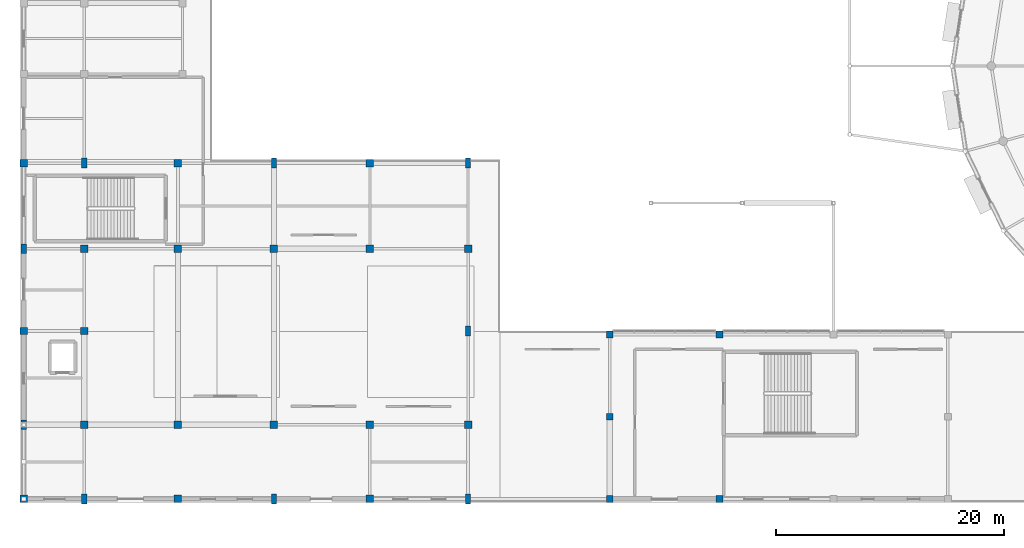
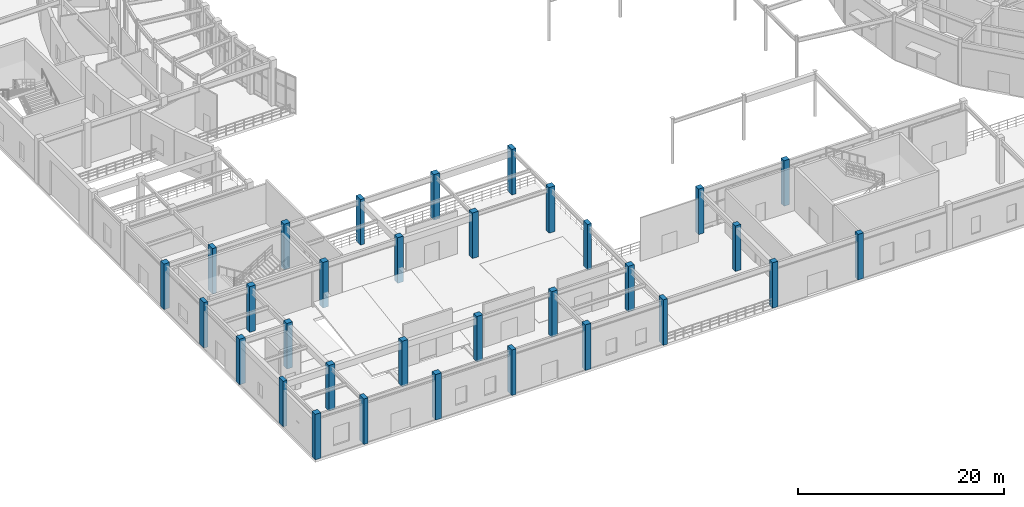
# One storey, part 1 of 93: 32 columns.
"""IFC4 building model written with IfcOpenShell, lengths in metres."""

from ifc_helpers import new_model, si_unit, direction, frame, origin, origin_2d, place, context, subcontext, project, spatial, rectangle, extrude, material, material_profile, profile_set, type_object, element, save


model = new_model("IFC4")

# Units and contexts
model_context = context("Model", 3, precision=1e-05, world=origin(), true_north=direction((0.0, 1.0)))
body_context = subcontext(model_context, "Body", "Model", "MODEL_VIEW")
ifc_project = project(units=[si_unit("LENGTHUNIT", "METRE"), si_unit("AREAUNIT", "SQUARE_METRE"), si_unit("VOLUMEUNIT", "CUBIC_METRE"), si_unit("PLANEANGLEUNIT", "RADIAN"), si_unit("MASSUNIT", "GRAM", prefix="KILO")], contexts=[model_context])

# Site, building, storey
site_placement = place(None, origin())
site = spatial("IfcSite", under=ifc_project, at=site_placement, CompositionType="ELEMENT")
building_placement = place(site_placement, origin())
building = spatial("IfcBuilding", under=site, at=building_placement, Name="Cinderbank Siding Concert Hall", CompositionType="ELEMENT")
storey_placement = place(building_placement, origin())
storey = spatial("IfcBuildingStorey", under=building, at=storey_placement, Name="L01", CompositionType="ELEMENT", Elevation=0.0)

# Columns
ifc_material = material(Name="Reinforced concrete AS 3600 N50 (50 MPa)", Category="concrete")
ifc_material_profile_1 = material_profile(ifc_material, rectangle(XDim=0.60009765625, YDim=0.60009765625, at=origin_2d()), Name="RC-COL-600x600", Category="LoadBearing")
ifc_profile_set_1 = profile_set([ifc_material_profile_1], Name="Reinforced concrete AS 3600 N50 (50 MPa)")
column_type_1 = type_object("IfcColumnType", Name="C-RC600 RC-COL-600x600", PredefinedType="COLUMN", material=ifc_profile_set_1)
for number, where, z_axis, x_axis, name in (
    (1, (58.39990234375, 6.10009765625, 0.0), (0.0, 0.0, 1.0), (1.0, 0.0, 0.0), "L01 Column COL-SL-1-1"),
    (2, (58.39990234375, 13.300048828125, 0.0), (0.0, 0.0, 1.0), (1.0, 0.0, 0.0), "L01 Column COL-SL-1-2"),
    (3, (58.39990234375, 20.5, 0.0), (0.0, 0.0, 1.0), (1.0, 0.0, 0.0), "L01 Column COL-SL-1-3"),
    (4, (68.0, 6.10009765625, 0.0), (0.0, 0.0, 1.0), (1.0, 0.0, 0.0), "L01 Column COL-SL-2-1"),
    (5, (68.0, 20.5, 0.0), (0.0, 0.0, 1.0), (1.0, 0.0, 0.0), "L01 Column COL-SL-2-3"),
):
    element("IfcColumn", number, at=place(storey_placement, frame(where, z_axis=z_axis, x_axis=x_axis)), inside=storey, type_object=column_type_1, Name=name, PredefinedType="COLUMN", context=body_context, shape_type="SweptSolid", body=[
        extrude(rectangle(XDim=0.60009765625, YDim=0.60009765625, at=origin_2d()), origin(), (0.0, 0.0, 1.0), 5.39990234375),
    ])
ifc_material_profile_2 = material_profile(ifc_material, rectangle(XDim=0.64990234375, YDim=0.64990234375, at=origin_2d()), Name="RC-COL-650x650", Category="LoadBearing")
ifc_profile_set_2 = profile_set([ifc_material_profile_2], Name="Reinforced concrete AS 3600 N50 (50 MPa)")
column_type_2 = type_object("IfcColumnType", Name="C-RC650 RC-COL-650x650", PredefinedType="COLUMN", material=ifc_profile_set_2)
for number, where, z_axis, x_axis, name in (
    (6, (7.10009765625, 6.10009765625, 0.0), (0.0, 0.0, 1.0), (1.0, 0.0, 0.0), "L01 Column COL-V2-1-1"),
    (7, (7.10009765625, 20.800048828125, 0.0), (0.0, 0.0, 1.0), (1.0, 0.0, 0.0), "L01 Column COL-V2-1-3"),
    (8, (7.10009765625, 35.5, 0.0), (0.0, 0.0, 1.0), (1.0, 0.0, 0.0), "L01 Column COL-V2-1-5"),
    (9, (12.39990234375, 12.60009765625, 0.0), (0.0, 0.0, 1.0), (1.0, 0.0, 0.0), "L01 Column COL-V2-2-2"),
    (10, (12.39990234375, 20.800048828125, 0.0), (0.0, 0.0, 1.0), (1.0, 0.0, 0.0), "L01 Column COL-V2-2-3"),
    (11, (12.39990234375, 28.0, 0.0), (0.0, 0.0, 1.0), (1.0, 0.0, 0.0), "L01 Column COL-V2-2-4"),
    (12, (20.60009765625, 6.10009765625, 0.0), (0.0, 0.0, 1.0), (1.0, 0.0, 0.0), "L01 Column COL-V2-3-1"),
    (13, (20.60009765625, 12.60009765625, 0.0), (0.0, 0.0, 1.0), (1.0, 0.0, 0.0), "L01 Column COL-V2-3-2"),
    (14, (20.60009765625, 28.0, 0.0), (0.0, 0.0, 1.0), (1.0, 0.0, 0.0), "L01 Column COL-V2-3-4"),
    (15, (20.60009765625, 35.5, 0.0), (0.0, 0.0, 1.0), (1.0, 0.0, 0.0), "L01 Column COL-V2-3-5"),
    (16, (29.0, 12.60009765625, 0.0), (0.0, 0.0, 1.0), (1.0, 0.0, 0.0), "L01 Column COL-V2-4-2"),
    (17, (29.0, 28.0, 0.0), (0.0, 0.0, 1.0), (1.0, 0.0, 0.0), "L01 Column COL-V2-4-4"),
    (18, (37.39990234375, 6.10009765625, 0.0), (0.0, 0.0, 1.0), (1.0, 0.0, 0.0), "L01 Column COL-V2-5-1"),
    (19, (37.39990234375, 12.60009765625, 0.0), (0.0, 0.0, 1.0), (1.0, 0.0, 0.0), "L01 Column COL-V2-5-2"),
    (20, (37.39990234375, 28.0, 0.0), (0.0, 0.0, 1.0), (1.0, 0.0, 0.0), "L01 Column COL-V2-5-4"),
    (21, (37.39990234375, 35.5, 0.0), (0.0, 0.0, 1.0), (1.0, 0.0, 0.0), "L01 Column COL-V2-5-5"),
    (22, (46.0, 12.60009765625, 0.0), (0.0, 0.0, 1.0), (1.0, 0.0, 0.0), "L01 Column COL-V2-6-2"),
    (23, (46.0, 28.0, 0.0), (0.0, 0.0, 1.0), (1.0, 0.0, 0.0), "L01 Column COL-V2-6-4"),
):
    element("IfcColumn", number, at=place(storey_placement, frame(where, z_axis=z_axis, x_axis=x_axis)), inside=storey, type_object=column_type_2, Name=name, PredefinedType="COLUMN", context=body_context, shape_type="SweptSolid", body=[
        extrude(rectangle(XDim=0.64990234375, YDim=0.64990234375, at=origin_2d()), origin(), (0.0, 0.0, 1.0), 5.39990234375),
    ])
ifc_material_profile_3 = material_profile(ifc_material, rectangle(XDim=0.449951171875, YDim=0.85009765625, at=origin_2d()), Name="RC-PIER-450x850", Category="LoadBearing")
ifc_profile_set_3 = profile_set([ifc_material_profile_3], Name="Reinforced concrete AS 3600 N50 (50 MPa)")
column_type_3 = type_object("IfcColumnType", Name="PL-RC850 RC-PIER-450x850", PredefinedType="PILASTER", material=ifc_profile_set_3)
for number, where, z_axis, x_axis, name in (
    (24, (7.10009765625, 12.60009765625, 0.0), (0.0, 0.0, 1.0), (1.0, 0.0, 0.0), "L01 Column COL-V2-1-2"),
    (25, (7.10009765625, 28.0, 0.0), (0.0, 0.0, 1.0), (1.0, 0.0, 0.0), "L01 Column COL-V2-1-4"),
    (26, (12.39990234375, 6.10009765625, 0.0), (0.0, 0.0, 1.0), (1.0, 0.0, 0.0), "L01 Column COL-V2-2-1"),
    (27, (12.39990234375, 35.5, 0.0), (0.0, 0.0, 1.0), (1.0, 0.0, 0.0), "L01 Column COL-V2-2-5"),
    (28, (29.0, 6.10009765625, 0.0), (0.0, 0.0, 1.0), (1.0, 0.0, 0.0), "L01 Column COL-V2-4-1"),
    (29, (29.0, 35.5, 0.0), (0.0, 0.0, 1.0), (1.0, 0.0, 0.0), "L01 Column COL-V2-4-5"),
    (30, (46.0, 6.10009765625, 0.0), (0.0, 0.0, 1.0), (1.0, 0.0, 0.0), "L01 Column COL-V2-6-1"),
    (31, (46.0, 20.800048828125, 0.0), (0.0, 0.0, 1.0), (1.0, 0.0, 0.0), "L01 Column COL-V2-6-3"),
    (32, (46.0, 35.5, 0.0), (0.0, 0.0, 1.0), (1.0, 0.0, 0.0), "L01 Column COL-V2-6-5"),
):
    element("IfcColumn", number, at=place(storey_placement, frame(where, z_axis=z_axis, x_axis=x_axis)), inside=storey, type_object=column_type_3, Name=name, PredefinedType="PILASTER", context=body_context, shape_type="SweptSolid", body=[
        extrude(rectangle(XDim=0.449951171875, YDim=0.85009765625, at=origin_2d()), origin(), (0.0, 0.0, 1.0), 5.39990234375),
    ])

save(model, "model.ifc")
